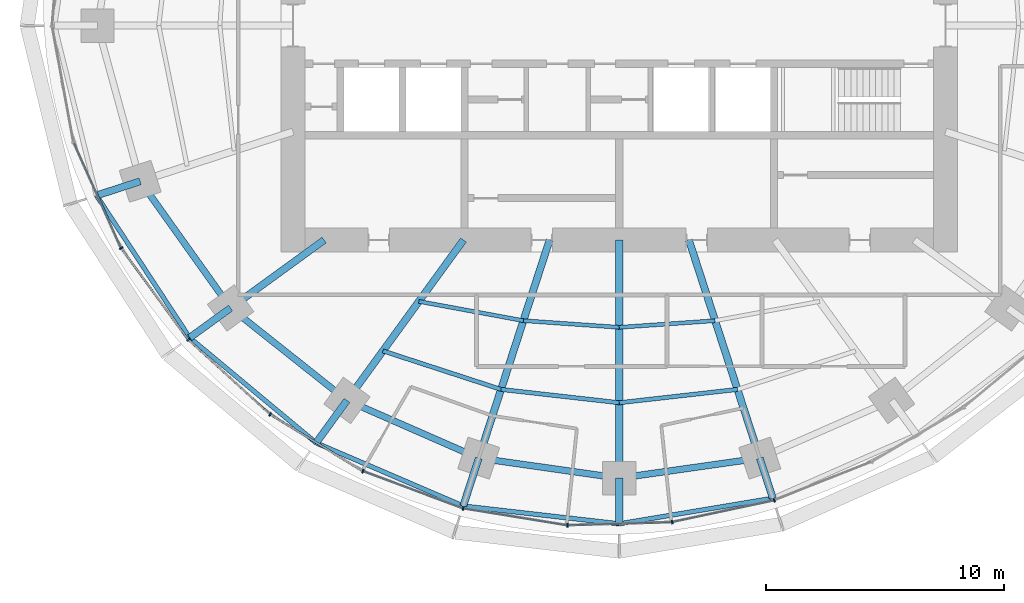
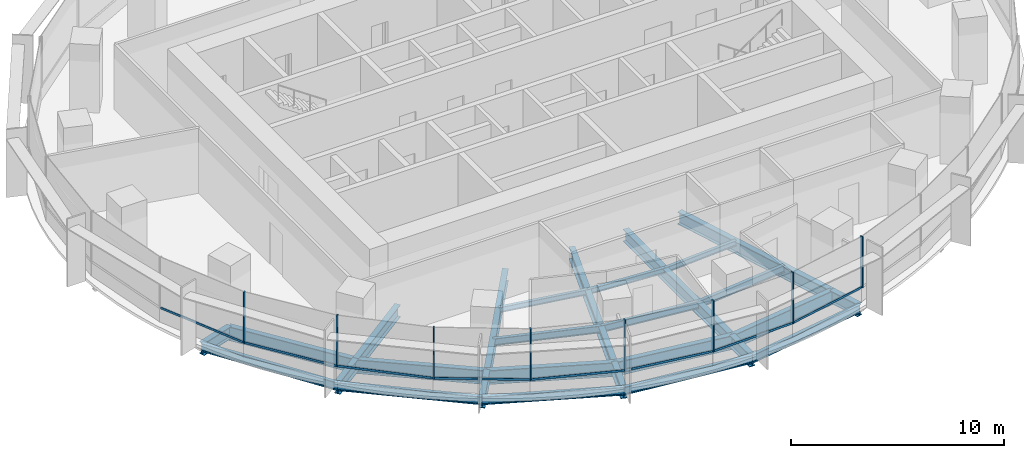
# One storey, part 2 of 15: 27 beams, 16 members, 2 elements without a shape of their own.
"""IFC4 building model written with IfcOpenShell, lengths in metres."""

from ifc_helpers import new_model, si_unit, direction, frame, origin, origin_2d, place, context, subcontext, project, spatial, rectangle, i_section, extrude, material, material_profile, profile_set, type_object, element, aggregate, save


model = new_model("IFC4")

# Units and contexts
model_context = context("Model", 3, precision=1e-05, world=origin(), true_north=direction((0.0, 1.0)))
body_context = subcontext(model_context, "Body", "Model", "MODEL_VIEW")
ifc_project = project(units=[si_unit("LENGTHUNIT", "METRE"), si_unit("AREAUNIT", "SQUARE_METRE"), si_unit("VOLUMEUNIT", "CUBIC_METRE"), si_unit("PLANEANGLEUNIT", "RADIAN"), si_unit("MASSUNIT", "GRAM", prefix="KILO")], contexts=[model_context])

# Site, building, storey
site_placement = place(None, origin())
site = spatial("IfcSite", under=ifc_project, at=site_placement, CompositionType="ELEMENT")
building_placement = place(site_placement, origin())
building = spatial("IfcBuilding", under=site, at=building_placement, Name="Marramba Exchange Tower", CompositionType="ELEMENT")
storey_placement = place(building_placement, frame((0.0, 0.0, 226.699951171875)))
storey = spatial("IfcBuildingStorey", under=building, at=storey_placement, Name="L55", CompositionType="ELEMENT", Elevation=226.699951171875)

# Beams
ifc_material_1 = material(Name="Steel AS/NZS 3679.2 grade 300", Category="steel")
ifc_material_profile_1 = material_profile(ifc_material_1, i_section(OverallWidth=0.300048828125, OverallDepth=0.699951171875, WebThickness=0.010009765625, FlangeThickness=0.031982421875, at=origin_2d()), Name="700WB173")
ifc_profile_set_1 = profile_set([ifc_material_profile_1], Name="Steel AS/NZS 3679.2 grade 300")
beam_type_1 = type_object("IfcBeamType", Name="Cantilever girder 700WB173", PredefinedType="BEAM", material=ifc_profile_set_1)
beam_1_placement = place(storey_placement, frame((-20.109375, -6.533935546875, -0.510009765625), z_axis=(-0.951071238541, -0.308971680287, 0.0), x_axis=(0.308971680287, -0.951071238541, 0.0)))
element("IfcBeam", 1, at=beam_1_placement, inside=storey, type_object=beam_type_1, Name="Cantilever girder L55 TC12", PredefinedType="BEAM", context=body_context, shape_type="SweptSolid", body=[
    extrude(i_section(OverallWidth=0.300048828125, OverallDepth=0.699951171875, WebThickness=0.010009765625, FlangeThickness=0.031982421875, at=origin_2d()), origin(), (0.0, 0.0, 1.0), 1.930419921875),
])
beam_2_placement = place(storey_placement, frame((-16.3154296875, -11.853759765625, -0.510009765625), z_axis=(-0.808969966943, -0.587849974555, 0.0), x_axis=(0.587849974555, -0.808969966943, 0.0)))
element("IfcBeam", 2, at=beam_2_placement, inside=storey, type_object=beam_type_1, Name="Cantilever girder L55 TC13", PredefinedType="BEAM", context=body_context, shape_type="SweptSolid", body=[
    extrude(i_section(OverallWidth=0.300048828125, OverallDepth=0.699951171875, WebThickness=0.010009765625, FlangeThickness=0.031982421875, at=origin_2d()), origin(), (0.0, 0.0, 1.0), 2.12109375),
])
beam_3_placement = place(storey_placement, frame((-11.430419921875, -15.732666015625, -0.510009765625), z_axis=(-0.587789596657, -0.809013837992, 0.0), x_axis=(0.809013837992, -0.587789596657, 0.0)))
element("IfcBeam", 3, at=beam_3_placement, inside=storey, type_object=beam_type_1, Name="Cantilever girder L55 TC14", PredefinedType="BEAM", context=body_context, shape_type="SweptSolid", body=[
    extrude(i_section(OverallWidth=0.300048828125, OverallDepth=0.699951171875, WebThickness=0.010009765625, FlangeThickness=0.031982421875, at=origin_2d()), origin(), (0.0, 0.0, 1.0), 2.203857421875),
])
beam_4_placement = place(storey_placement, frame((-5.899658203125, -18.156982421875, -0.510009765625), z_axis=(-0.308971068529, -0.951071437281, 0.0), x_axis=(0.951071437281, -0.308971068529, 0.0)))
element("IfcBeam", 4, at=beam_4_placement, inside=storey, type_object=beam_type_1, Name="Cantilever girder L55 TC15", PredefinedType="BEAM", context=body_context, shape_type="SweptSolid", body=[
    extrude(i_section(OverallWidth=0.300048828125, OverallDepth=0.699951171875, WebThickness=0.010009765625, FlangeThickness=0.031982421875, at=origin_2d()), origin(), (0.0, 0.0, 1.0), 2.112060546875),
])
beam_5_placement = place(storey_placement, frame((0.0, -18.99609375, -0.510009765625), z_axis=(0.0, -1.0, 0.0), x_axis=(1.0, 0.0, 0.0)))
element("IfcBeam", 5, at=beam_5_placement, inside=storey, type_object=beam_type_1, Name="Cantilever girder L55 TC16", PredefinedType="BEAM", context=body_context, shape_type="SweptSolid", body=[
    extrude(i_section(OverallWidth=0.300048828125, OverallDepth=0.699951171875, WebThickness=0.010009765625, FlangeThickness=0.031982421875, at=origin_2d()), origin(), (0.0, 0.0, 1.0), 1.917724609375),
])
beam_6_placement = place(storey_placement, frame((5.899658203125, -18.156982421875, -0.510009765625), z_axis=(0.308926813415, -0.951085813138, 0.0), x_axis=(0.951085813138, 0.308926813415, 0.0)))
element("IfcBeam", 6, at=beam_6_placement, inside=storey, type_object=beam_type_1, Name="Cantilever girder L55 TC17", PredefinedType="BEAM", context=body_context, shape_type="SweptSolid", body=[
    extrude(i_section(OverallWidth=0.300048828125, OverallDepth=0.699951171875, WebThickness=0.010009765625, FlangeThickness=0.031982421875, at=origin_2d()), origin(), (0.0, 0.0, 1.0), 1.767822265625),
])
ifc_material_2 = material(Name="Steel AS/NZS 3679.1 grade 300", Category="steel")
ifc_material_profile_2 = material_profile(ifc_material_2, i_section(OverallWidth=0.166015625, OverallDepth=0.306884765625, WebThickness=0.006591796875, FlangeThickness=0.01171875, FilletRadius=0.011474609375, at=origin_2d()), Name="310UB46.2")
ifc_profile_set_2 = profile_set([ifc_material_profile_2], Name="Steel AS/NZS 3679.1 grade 300")
beam_type_2 = type_object("IfcBeamType", Name="Floor joist 310UB46.2", PredefinedType="JOIST", material=ifc_profile_set_2)
beam_7_placement = place(storey_placement, frame((-8.41162109375, -11.57763671875, -0.3134765625), z_axis=(0.983455754421, -0.181148500119, 0.0), x_axis=(0.181148500119, 0.983455754421, 0.0)))
element("IfcBeam", 7, at=beam_7_placement, inside=storey, type_object=beam_type_2, Name="Joist L55 bay 14 row 1", PredefinedType="JOIST", context=body_context, shape_type="SweptSolid", body=[
    extrude(i_section(OverallWidth=0.166015625, OverallDepth=0.306884765625, WebThickness=0.006591796875, FlangeThickness=0.01171875, FilletRadius=0.011474609375, at=origin_2d()), origin(), (0.0, 0.0, 1.0), 4.4609375),
])
for number, where, z_axis, x_axis, name in (
    (8, (-4.0244140625, -12.3857421875, -0.3134765625), (0.99759625901, -0.069294328838, 0.0), (0.069294328838, 0.99759625901, 0.0), "Joist L55 bay 15 row 1"),
    (9, (0.0, -12.665283203125, -0.3134765625), (0.99759625901, 0.069294328838, 0.0), (-0.069294328838, 0.99759625901, 0.0), "Joist L55 bay 16 row 1"),
):
    element("IfcBeam", number, at=place(storey_placement, frame(where, z_axis=z_axis, x_axis=x_axis)), inside=storey, type_object=beam_type_2, Name=name, PredefinedType="JOIST", context=body_context, shape_type="SweptSolid", body=[
        extrude(i_section(OverallWidth=0.166015625, OverallDepth=0.306884765625, WebThickness=0.006591796875, FlangeThickness=0.01171875, FilletRadius=0.011474609375, at=origin_2d()), origin(), (0.0, 0.0, 1.0), 4.0341796875),
    ])
ifc_material_profile_3 = material_profile(ifc_material_2, i_section(OverallWidth=0.177978515625, OverallDepth=0.406005859375, WebThickness=0.0078125, FlangeThickness=0.0126953125, FilletRadius=0.011474609375, at=origin_2d()), Name="410UB59.7")
ifc_profile_set_3 = profile_set([ifc_material_profile_3], Name="Steel AS/NZS 3679.1 grade 300")
beam_type_3 = type_object("IfcBeamType", Name="Floor joist 410UB59.7", PredefinedType="JOIST", material=ifc_profile_set_3)
beam_8_placement = place(storey_placement, frame((-9.9208984375, -13.655029296875, -0.363037109375), z_axis=(0.950764024931, -0.309915744834, 0.0), x_axis=(0.309915744834, 0.950764024931, 0.0)))
element("IfcBeam", 10, at=beam_8_placement, inside=storey, type_object=beam_type_3, Name="Joist L55 bay 14 row 2", PredefinedType="JOIST", context=body_context, shape_type="SweptSolid", body=[
    extrude(i_section(OverallWidth=0.177978515625, OverallDepth=0.406005859375, WebThickness=0.0078125, FlangeThickness=0.0126953125, FilletRadius=0.011474609375, at=origin_2d()), origin(), (0.0, 0.0, 1.0), 5.2158203125),
])
for number, where, z_axis, x_axis, name in (
    (11, (-4.9619140625, -15.271484375, -0.363037109375), (0.993712018573, -0.111966174106, 0.0), (0.111966174106, 0.993712018573, 0.0), "Joist L55 bay 15 row 2"),
    (12, (0.0, -15.83056640625, -0.363037109375), (0.993712018573, 0.111966174106, 0.0), (-0.111966174106, 0.993712018573, 0.0), "Joist L55 bay 16 row 2"),
):
    element("IfcBeam", number, at=place(storey_placement, frame(where, z_axis=z_axis, x_axis=x_axis)), inside=storey, type_object=beam_type_3, Name=name, PredefinedType="JOIST", context=body_context, shape_type="SweptSolid", body=[
        extrude(i_section(OverallWidth=0.177978515625, OverallDepth=0.406005859375, WebThickness=0.0078125, FlangeThickness=0.0126953125, FilletRadius=0.011474609375, at=origin_2d()), origin(), (0.0, 0.0, 1.0), 4.993408203125),
    ])

# Curtain wall, members
ifc_material_3 = material(Name="Aluminium framing, bronze anodised", Category="aluminium")
curtain_wall_type = type_object("IfcCurtainWallType", Name="Office ribbon curtain wall", PredefinedType="USERDEFINED", material=ifc_material_3)
curtain_wall_1_placement = place(storey_placement, origin())
curtain_wall_1 = element("IfcCurtainWall", 13, at=curtain_wall_1_placement, inside=storey, type_object=curtain_wall_type, Name="Curtain wall CW4 L55 F16-F20", ObjectType="RIBBON CURTAIN WALL", PredefinedType="USERDEFINED")
ifc_material_4 = material(Name="Aluminium mullion, bronze anodised", Category="aluminium")
ifc_material_profile_4 = material_profile(ifc_material_4, rectangle(XDim=0.159912109375, YDim=0.06005859375, at=origin_2d()), Name="CW4 mullion 60x160")
ifc_profile_set_4 = profile_set([ifc_material_profile_4], Name="Aluminium mullion, bronze anodised")
member_type_1 = type_object("IfcMemberType", Name="Office ribbon curtain wall mullion", PredefinedType="MULLION", material=ifc_profile_set_4)
member_1_placement = place(storey_placement, frame((-20.910400390625, -9.342041015625, 0.800048828125), z_axis=(0.0, 0.0, 1.0), x_axis=(0.806508054547, 0.591223103363, 0.0)))
member_1 = element("IfcMember", 14, at=member_1_placement, type_object=member_type_1, Name="CW4 mullion 1", PredefinedType="MULLION", context=body_context, shape_type="SweptSolid", body=[
    extrude(rectangle(XDim=0.159912109375, YDim=0.06005859375, at=origin_2d()), origin(), (0.0, 0.0, 1.0), 2.93994140625),
])
member_2_placement = place(storey_placement, frame((-18.090087890625, -13.179443359375, 0.800048828125), z_axis=(0.0, 0.0, 1.0), x_axis=(0.67567103474, 0.737203264245, 0.0)))
member_2 = element("IfcMember", 15, at=member_2_placement, type_object=member_type_1, Name="CW4 mullion 1", PredefinedType="MULLION", context=body_context, shape_type="SweptSolid", body=[
    extrude(rectangle(XDim=0.159912109375, YDim=0.06005859375, at=origin_2d()), origin(), (0.0, 0.0, 1.0), 2.93994140625),
])
member_3_placement = place(storey_placement, frame((-14.655029296875, -16.320068359375, 0.800048828125), z_axis=(0.0, 0.0, 1.0), x_axis=(0.52305160869, 0.85230101176, 0.0)))
member_3 = element("IfcMember", 16, at=member_3_placement, type_object=member_type_1, Name="CW4 mullion 1", PredefinedType="MULLION", context=body_context, shape_type="SweptSolid", body=[
    extrude(rectangle(XDim=0.159912109375, YDim=0.06005859375, at=origin_2d()), origin(), (0.0, 0.0, 1.0), 2.93994140625),
])

curtain_wall_2_placement = place(storey_placement, origin())
curtain_wall_2 = element("IfcCurtainWall", 17, at=curtain_wall_2_placement, inside=storey, type_object=curtain_wall_type, Name="Curtain wall CW4 L55 F21-F25", ObjectType="RIBBON CURTAIN WALL", PredefinedType="USERDEFINED")
member_4_placement = place(storey_placement, frame((-10.76318359375, -18.70166015625, 0.800048828125), z_axis=(0.0, 0.0, 1.0), x_axis=(0.349459197687, 0.936951583142, 0.0)))
member_4 = element("IfcMember", 18, at=member_4_placement, type_object=member_type_1, Name="CW4 mullion 1", PredefinedType="MULLION", context=body_context, shape_type="SweptSolid", body=[
    extrude(rectangle(XDim=0.159912109375, YDim=0.06005859375, at=origin_2d()), origin(), (0.0, 0.0, 1.0), 2.93994140625),
])
member_5_placement = place(storey_placement, frame((-6.553466796875, -20.265625, 0.800048828125), z_axis=(0.0, 0.0, 1.0), x_axis=(0.161145726194, 0.986930623159, 0.0)))
member_5 = element("IfcMember", 19, at=member_5_placement, type_object=member_type_1, Name="CW4 mullion 1", PredefinedType="MULLION", context=body_context, shape_type="SweptSolid", body=[
    extrude(rectangle(XDim=0.159912109375, YDim=0.06005859375, at=origin_2d()), origin(), (0.0, 0.0, 1.0), 2.93994140625),
])
member_6_placement = place(storey_placement, frame((-2.174560546875, -20.974853515625, 0.800048828125), z_axis=(0.0, 0.0, 1.0), x_axis=(-0.029393451762, 0.99956791915, 0.0)))
member_6 = element("IfcMember", 20, at=member_6_placement, type_object=member_type_1, Name="CW4 mullion 1", PredefinedType="MULLION", context=body_context, shape_type="SweptSolid", body=[
    extrude(rectangle(XDim=0.159912109375, YDim=0.06005859375, at=origin_2d()), origin(), (0.0, 0.0, 1.0), 2.93994140625),
])
member_7_placement = place(storey_placement, frame((2.220458984375, -20.840087890625, 0.800048828125), z_axis=(0.0, 0.0, 1.0), x_axis=(-0.208332456608, 0.978058069607, 0.0)))
member_7 = element("IfcMember", 21, at=member_7_placement, type_object=member_type_1, Name="CW4 mullion 1", PredefinedType="MULLION", context=body_context, shape_type="SweptSolid", body=[
    extrude(rectangle(XDim=0.159912109375, YDim=0.06005859375, at=origin_2d()), origin(), (0.0, 0.0, 1.0), 2.93994140625),
])
member_8_placement = place(storey_placement, frame((6.504638671875, -19.922607421875, 0.800048828125), z_axis=(0.0, 0.0, 1.0), x_axis=(-0.367374724195, 0.93007301435, 0.0)))
member_8 = element("IfcMember", 22, at=member_8_placement, type_object=member_type_1, Name="CW4 mullion 1", PredefinedType="MULLION", context=body_context, shape_type="SweptSolid", body=[
    extrude(rectangle(XDim=0.159912109375, YDim=0.06005859375, at=origin_2d()), origin(), (0.0, 0.0, 1.0), 2.93994140625),
])

# Member
ifc_material_5 = material(Name="Aluminium transom, bronze anodised", Category="aluminium")
ifc_material_profile_5 = material_profile(ifc_material_5, rectangle(XDim=0.06005859375, YDim=0.1201171875, at=origin_2d()), Name="CW4 transom 60x120")
ifc_profile_set_5 = profile_set([ifc_material_profile_5], Name="Aluminium transom, bronze anodised")
member_type_2 = type_object("IfcMemberType", Name="Office ribbon curtain wall transom", PredefinedType="USERDEFINED", material=ifc_profile_set_5)
member_9_placement = place(storey_placement, frame((-22.888671875, -4.925048828125, 0.830078125), z_axis=(0.407541263131, -0.913186792965, 0.0), x_axis=(0.913186792965, 0.407541263131, 0.0)))
member_9 = element("IfcMember", 23, at=member_9_placement, type_object=member_type_2, Name="CW4 sill transom", ObjectType="TRANSOM", PredefinedType="USERDEFINED", context=body_context, shape_type="SweptSolid", body=[
    extrude(rectangle(XDim=0.06005859375, YDim=0.1201171875, at=origin_2d()), origin(), (0.0, 0.0, 1.0), 4.810546875),
])

member_10_placement = place(storey_placement, frame((-20.892578125, -9.3662109375, 0.830078125), z_axis=(0.591226373184, -0.806505657545, 0.0), x_axis=(0.806505657545, 0.591226373184, 0.0)))
member_10 = element("IfcMember", 24, at=member_10_placement, type_object=member_type_2, Name="CW4 sill transom", ObjectType="TRANSOM", PredefinedType="USERDEFINED", context=body_context, shape_type="SweptSolid", body=[
    extrude(rectangle(XDim=0.06005859375, YDim=0.1201171875, at=origin_2d()), origin(), (0.0, 0.0, 1.0), 4.702880859375),
])

member_11_placement = place(storey_placement, frame((-18.06787109375, -13.19970703125, 0.830078125), z_axis=(0.737176195283, -0.675700567639, 0.0), x_axis=(0.675700567639, 0.737176195283, 0.0)))
member_11 = element("IfcMember", 25, at=member_11_placement, type_object=member_type_2, Name="CW4 sill transom", ObjectType="TRANSOM", PredefinedType="USERDEFINED", context=body_context, shape_type="SweptSolid", body=[
    extrude(rectangle(XDim=0.06005859375, YDim=0.1201171875, at=origin_2d()), origin(), (0.0, 0.0, 1.0), 4.5947265625),
])

member_12_placement = place(storey_placement, frame((-14.62939453125, -16.335693359375, 0.830078125), z_axis=(0.852298011003, -0.523056498325, 0.0), x_axis=(0.523056498325, 0.852298011003, 0.0)))
member_12 = element("IfcMember", 26, at=member_12_placement, type_object=member_type_2, Name="CW4 sill transom", ObjectType="TRANSOM", PredefinedType="USERDEFINED", context=body_context, shape_type="SweptSolid", body=[
    extrude(rectangle(XDim=0.06005859375, YDim=0.1201171875, at=origin_2d()), origin(), (0.0, 0.0, 1.0), 4.503173828125),
])

aggregate(curtain_wall_1, [member_9, member_1, member_10, member_2, member_11, member_3, member_12])

member_13_placement = place(storey_placement, frame((-10.735107421875, -18.712158203125, 0.830078125), z_axis=(0.936954830677, -0.349450490444, 0.0), x_axis=(0.349450490444, 0.936954830677, 0.0)))
member_13 = element("IfcMember", 27, at=member_13_placement, type_object=member_type_2, Name="CW4 sill transom", ObjectType="TRANSOM", PredefinedType="USERDEFINED", context=body_context, shape_type="SweptSolid", body=[
    extrude(rectangle(XDim=0.06005859375, YDim=0.1201171875, at=origin_2d()), origin(), (0.0, 0.0, 1.0), 4.431396484375),
])

member_14_placement = place(storey_placement, frame((-6.52392578125, -20.2705078125, 0.830078125), z_axis=(0.986937225488, -0.161105285282, 0.0), x_axis=(0.161105285282, 0.986937225488, 0.0)))
member_14 = element("IfcMember", 28, at=member_14_placement, type_object=member_type_2, Name="CW4 sill transom", ObjectType="TRANSOM", PredefinedType="USERDEFINED", context=body_context, shape_type="SweptSolid", body=[
    extrude(rectangle(XDim=0.06005859375, YDim=0.1201171875, at=origin_2d()), origin(), (0.0, 0.0, 1.0), 4.37646484375),
])

member_15_placement = place(storey_placement, frame((-2.144775390625, -20.973876953125, 0.830078125), z_axis=(0.999568338005, 0.029379204529, 0.0), x_axis=(-0.029379204529, 0.999568338005, 0.0)))
member_15 = element("IfcMember", 29, at=member_15_placement, type_object=member_type_2, Name="CW4 sill transom", ObjectType="TRANSOM", PredefinedType="USERDEFINED", context=body_context, shape_type="SweptSolid", body=[
    extrude(rectangle(XDim=0.06005859375, YDim=0.1201171875, at=origin_2d()), origin(), (0.0, 0.0, 1.0), 4.337890625),
])

member_16_placement = place(storey_placement, frame((2.249755859375, -20.833984375, 0.830078125), z_axis=(0.978057951839, 0.208333009494, 0.0), x_axis=(-0.208333009494, 0.978057951839, 0.0)))
member_16 = element("IfcMember", 30, at=member_16_placement, type_object=member_type_2, Name="CW4 sill transom", ObjectType="TRANSOM", PredefinedType="USERDEFINED", context=body_context, shape_type="SweptSolid", body=[
    extrude(rectangle(XDim=0.06005859375, YDim=0.1201171875, at=origin_2d()), origin(), (0.0, 0.0, 1.0), 4.32177734375),
])

aggregate(curtain_wall_2, [member_4, member_13, member_5, member_14, member_6, member_15, member_7, member_16, member_8])

# Beams
ifc_material_profile_6 = material_profile(ifc_material_1, i_section(OverallWidth=0.300048828125, OverallDepth=0.699951171875, WebThickness=0.010009765625, FlangeThickness=0.031982421875, at=origin_2d()), Name="700WB173")
ifc_profile_set_6 = profile_set([ifc_material_profile_6], Name="Steel AS/NZS 3679.2 grade 300")
beam_type_4 = type_object("IfcBeamType", Name="Radial girder 700WB173", PredefinedType="BEAM", material=ifc_profile_set_6)
beam_9_placement = place(storey_placement, frame((-12.387451171875, -9.0, -0.510009765625), z_axis=(-0.809025189606, -0.58777397236, 0.0), x_axis=(0.58777397236, -0.809025189606, 0.0)))
element("IfcBeam", 31, at=beam_9_placement, inside=storey, type_object=beam_type_4, Name="Radial girder L55 TC13", PredefinedType="BEAM", context=body_context, shape_type="SweptSolid", body=[
    extrude(i_section(OverallWidth=0.300048828125, OverallDepth=0.699951171875, WebThickness=0.010009765625, FlangeThickness=0.031982421875, at=origin_2d()), origin(), (0.0, 0.0, 1.0), 4.855224609375),
])
beam_10_placement = place(storey_placement, frame((-6.538818359375, -9.0, -0.510009765625), z_axis=(-0.587787877172, -0.809015087282, 0.0), x_axis=(0.809015087282, -0.587787877172, 0.0)))
element("IfcBeam", 32, at=beam_10_placement, inside=storey, type_object=beam_type_4, Name="Radial girder L55 TC14", PredefinedType="BEAM", context=body_context, shape_type="SweptSolid", body=[
    extrude(i_section(OverallWidth=0.300048828125, OverallDepth=0.699951171875, WebThickness=0.010009765625, FlangeThickness=0.031982421875, at=origin_2d()), origin(), (0.0, 0.0, 1.0), 8.322021484375),
])
beam_11_placement = place(storey_placement, frame((-2.92431640625, -9.0, -0.510009765625), z_axis=(-0.309022428985, -0.951054750466, 0.0), x_axis=(0.951054750466, -0.309022428985, 0.0)))
element("IfcBeam", 33, at=beam_11_placement, inside=storey, type_object=beam_type_4, Name="Radial girder L55 TC15", PredefinedType="BEAM", context=body_context, shape_type="SweptSolid", body=[
    extrude(i_section(OverallWidth=0.300048828125, OverallDepth=0.699951171875, WebThickness=0.010009765625, FlangeThickness=0.031982421875, at=origin_2d()), origin(), (0.0, 0.0, 1.0), 9.628173828125),
])
beam_12_placement = place(storey_placement, frame((0.0, -9.0, -0.510009765625), z_axis=(0.0, -1.0, 0.0), x_axis=(1.0, 0.0, 0.0)))
element("IfcBeam", 34, at=beam_12_placement, inside=storey, type_object=beam_type_4, Name="Radial girder L55 TC16", PredefinedType="BEAM", context=body_context, shape_type="SweptSolid", body=[
    extrude(i_section(OverallWidth=0.300048828125, OverallDepth=0.699951171875, WebThickness=0.010009765625, FlangeThickness=0.031982421875, at=origin_2d()), origin(), (0.0, 0.0, 1.0), 9.99609375),
])
beam_13_placement = place(storey_placement, frame((2.92431640625, -9.0, -0.510009765625), z_axis=(0.309022428985, -0.951054750466, 0.0), x_axis=(0.951054750466, 0.309022428985, 0.0)))
element("IfcBeam", 35, at=beam_13_placement, inside=storey, type_object=beam_type_4, Name="Radial girder L55 TC17", PredefinedType="BEAM", context=body_context, shape_type="SweptSolid", body=[
    extrude(i_section(OverallWidth=0.300048828125, OverallDepth=0.699951171875, WebThickness=0.010009765625, FlangeThickness=0.031982421875, at=origin_2d()), origin(), (0.0, 0.0, 1.0), 9.628173828125),
])
ifc_material_profile_7 = material_profile(ifc_material_1, i_section(OverallWidth=0.27490234375, OverallDepth=0.800048828125, WebThickness=0.010009765625, FlangeThickness=0.02490234375, at=origin_2d()), Name="800WB168")
ifc_profile_set_7 = profile_set([ifc_material_profile_7], Name="Steel AS/NZS 3679.2 grade 300")
beam_type_5 = type_object("IfcBeamType", Name="Ring beam 800WB168", PredefinedType="SPANDREL", material=ifc_profile_set_7)
beam_14_placement = place(storey_placement, frame((-20.109375, -6.533935546875, -0.56005859375), z_axis=(0.580637181111, -0.814162430914, 0.0), x_axis=(0.814162430914, 0.580637181111, 0.0)))
element("IfcBeam", 36, at=beam_14_placement, inside=storey, type_object=beam_type_5, Name="Ring beam L55 TC12-TC13", PredefinedType="SPANDREL", context=body_context, shape_type="SweptSolid", body=[
    extrude(i_section(OverallWidth=0.27490234375, OverallDepth=0.800048828125, WebThickness=0.010009765625, FlangeThickness=0.02490234375, at=origin_2d()), origin(), (0.0, 0.0, 1.0), 6.5341796875),
])
beam_15_placement = place(storey_placement, frame((-16.3154296875, -11.853759765625, -0.56005859375), z_axis=(0.783139438128, -0.621846138887, 0.0), x_axis=(0.621846138887, 0.783139438128, 0.0)))
element("IfcBeam", 37, at=beam_15_placement, inside=storey, type_object=beam_type_5, Name="Ring beam L55 TC13-TC14", PredefinedType="SPANDREL", context=body_context, shape_type="SweptSolid", body=[
    extrude(i_section(OverallWidth=0.27490234375, OverallDepth=0.800048828125, WebThickness=0.010009765625, FlangeThickness=0.02490234375, at=origin_2d()), origin(), (0.0, 0.0, 1.0), 6.23779296875),
])
beam_16_placement = place(storey_placement, frame((-11.430419921875, -15.732666015625, -0.56005859375), z_axis=(0.915876892158, -0.4014592363, 0.0), x_axis=(0.4014592363, 0.915876892158, 0.0)))
element("IfcBeam", 38, at=beam_16_placement, inside=storey, type_object=beam_type_5, Name="Ring beam L55 TC14-TC15", PredefinedType="SPANDREL", context=body_context, shape_type="SweptSolid", body=[
    extrude(i_section(OverallWidth=0.27490234375, OverallDepth=0.800048828125, WebThickness=0.010009765625, FlangeThickness=0.02490234375, at=origin_2d()), origin(), (0.0, 0.0, 1.0), 6.038818359375),
])
for number, where, z_axis, x_axis, name in (
    (39, (-5.899658203125, -18.156982421875, -0.56005859375), (0.990036163016, -0.140813337152, 0.0), (0.140813337152, 0.990036163016, 0.0), "Ring beam L55 TC15-TC16"),
    (40, (0.0, -18.99609375, -0.56005859375), (0.990036163016, 0.140813337152, 0.0), (-0.140813337152, 0.990036163016, 0.0), "Ring beam L55 TC16-TC17"),
):
    element("IfcBeam", number, at=place(storey_placement, frame(where, z_axis=z_axis, x_axis=x_axis)), inside=storey, type_object=beam_type_5, Name=name, PredefinedType="SPANDREL", context=body_context, shape_type="SweptSolid", body=[
        extrude(i_section(OverallWidth=0.27490234375, OverallDepth=0.800048828125, WebThickness=0.010009765625, FlangeThickness=0.02490234375, at=origin_2d()), origin(), (0.0, 0.0, 1.0), 5.958984375),
    ])
ifc_material_profile_8 = material_profile(ifc_material_2, i_section(OverallWidth=0.19091796875, OverallDepth=0.4599609375, WebThickness=0.010009765625, FlangeThickness=0.01611328125, FilletRadius=0.011474609375, at=origin_2d()), Name="460UB82.1")
ifc_profile_set_8 = profile_set([ifc_material_profile_8], Name="Steel AS/NZS 3679.1 grade 300")
beam_type_6 = type_object("IfcBeamType", Name="Slab edge beam 460UB82.1", PredefinedType="SPANDREL", material=ifc_profile_set_8)
beam_17_placement = place(storey_placement, frame((-21.9453125, -7.13037109375, -0.389892578125), z_axis=(0.548275412052, -0.83629783722, 0.0), x_axis=(0.83629783722, 0.548275412052, 0.0)))
element("IfcBeam", 41, at=beam_17_placement, inside=storey, type_object=beam_type_6, Name="Slab edge beam L55 TC12-TC13", PredefinedType="SPANDREL", context=body_context, shape_type="SweptSolid", body=[
    extrude(i_section(OverallWidth=0.19091796875, OverallDepth=0.4599609375, WebThickness=0.010009765625, FlangeThickness=0.01611328125, FilletRadius=0.011474609375, at=origin_2d()), origin(), (0.0, 0.0, 1.0), 7.138916015625),
])
beam_18_placement = place(storey_placement, frame((-18.03125, -13.1005859375, -0.389892578125), z_axis=(0.768658895231, -0.639658895649, 0.0), x_axis=(0.639658895649, 0.768658895231, 0.0)))
element("IfcBeam", 42, at=beam_18_placement, inside=storey, type_object=beam_type_6, Name="Slab edge beam L55 TC13-TC14", PredefinedType="SPANDREL", context=body_context, shape_type="SweptSolid", body=[
    extrude(i_section(OverallWidth=0.19091796875, OverallDepth=0.4599609375, WebThickness=0.010009765625, FlangeThickness=0.01611328125, FilletRadius=0.011474609375, at=origin_2d()), origin(), (0.0, 0.0, 1.0), 6.902099609375),
])
beam_19_placement = place(storey_placement, frame((-12.725830078125, -17.515625, -0.389892578125), z_axis=(0.9189117964, -0.394463065999, 0.0), x_axis=(0.394463065999, 0.9189117964, 0.0)))
element("IfcBeam", 43, at=beam_19_placement, inside=storey, type_object=beam_type_6, Name="Slab edge beam L55 TC14-TC15", PredefinedType="SPANDREL", context=body_context, shape_type="SweptSolid", body=[
    extrude(i_section(OverallWidth=0.19091796875, OverallDepth=0.4599609375, WebThickness=0.010009765625, FlangeThickness=0.01611328125, FilletRadius=0.011474609375, at=origin_2d()), origin(), (0.0, 0.0, 1.0), 6.71826171875),
])
beam_20_placement = place(storey_placement, frame((-6.55224609375, -20.165771484375, -0.389892578125), z_axis=(0.993546030009, -0.113429653325, 0.0), x_axis=(0.113429653325, 0.993546030009, 0.0)))
element("IfcBeam", 44, at=beam_20_placement, inside=storey, type_object=beam_type_6, Name="Slab edge beam L55 TC15-TC16", PredefinedType="SPANDREL", context=body_context, shape_type="SweptSolid", body=[
    extrude(i_section(OverallWidth=0.19091796875, OverallDepth=0.4599609375, WebThickness=0.010009765625, FlangeThickness=0.01611328125, FilletRadius=0.011474609375, at=origin_2d()), origin(), (0.0, 0.0, 1.0), 6.5947265625),
])
beam_21_placement = place(storey_placement, frame((0.0, -20.913818359375, -0.389892578125), z_axis=(0.986365637189, 0.164568617219, 0.0), x_axis=(-0.164568617219, 0.986365637189, 0.0)))
element("IfcBeam", 45, at=beam_21_placement, inside=storey, type_object=beam_type_6, Name="Slab edge beam L55 TC16-TC17", PredefinedType="SPANDREL", context=body_context, shape_type="SweptSolid", body=[
    extrude(i_section(OverallWidth=0.19091796875, OverallDepth=0.4599609375, WebThickness=0.010009765625, FlangeThickness=0.01611328125, FilletRadius=0.011474609375, at=origin_2d()), origin(), (0.0, 0.0, 1.0), 6.534912109375),
])

save(model, "model.ifc")
